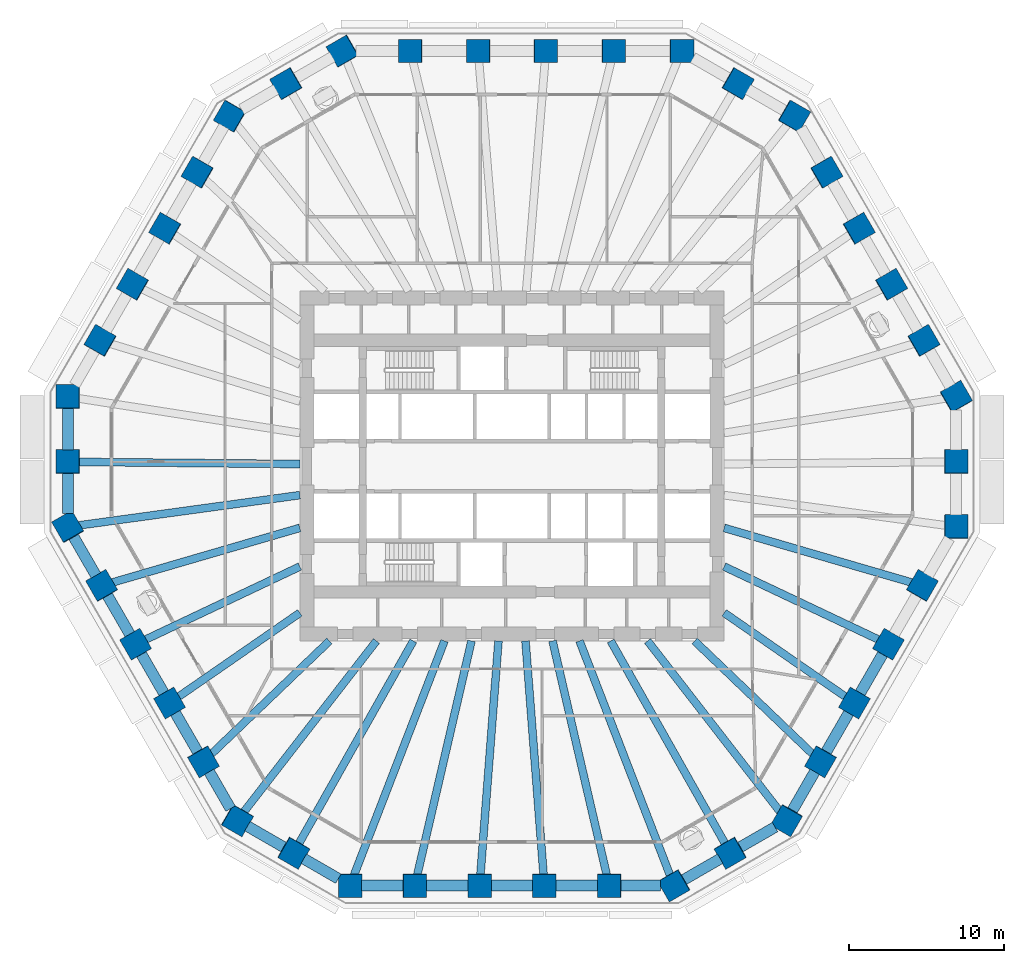
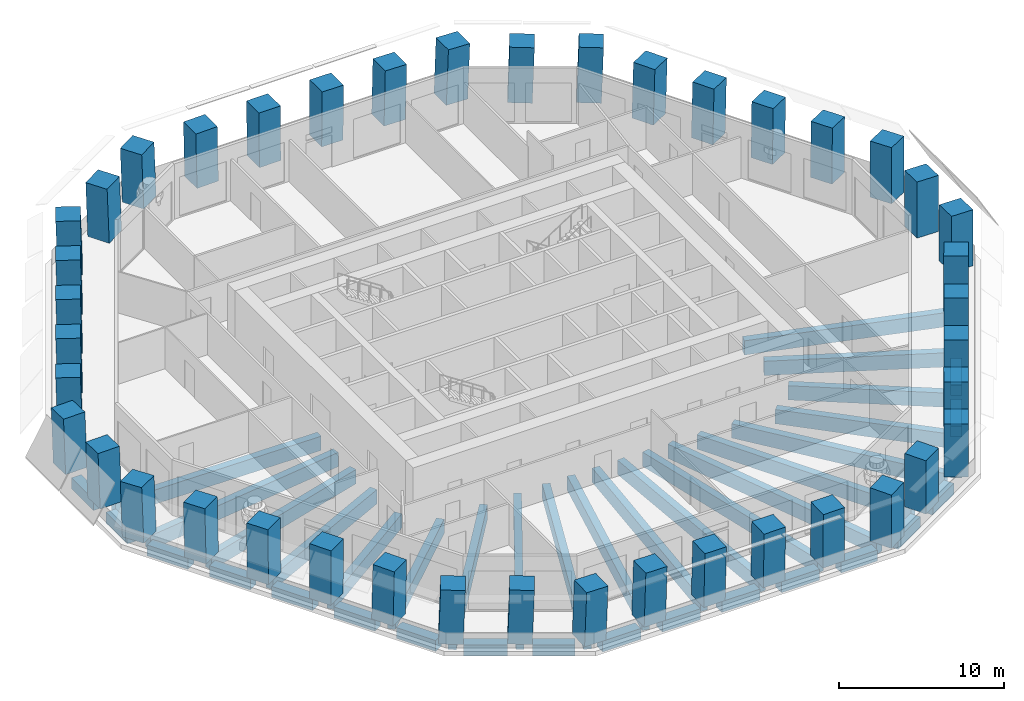
# One storey, part 1 of 13: 42 columns, 39 beams.
"""IFC4 building model written with IfcOpenShell, lengths in metres."""

from ifc_helpers import new_model, si_unit, direction, frame, origin, origin_2d, place, context, subcontext, project, spatial, rectangle, extrude, material, material_profile, profile_set, type_object, element, save


model = new_model("IFC4")

# Units and contexts
model_context = context("Model", 3, precision=1e-05, world=origin(), true_north=direction((0.0, 1.0)))
body_context = subcontext(model_context, "Body", "Model", "MODEL_VIEW")
ifc_project = project(units=[si_unit("LENGTHUNIT", "METRE"), si_unit("AREAUNIT", "SQUARE_METRE"), si_unit("VOLUMEUNIT", "CUBIC_METRE"), si_unit("PLANEANGLEUNIT", "RADIAN"), si_unit("MASSUNIT", "GRAM", prefix="KILO")], contexts=[model_context])

# Site, building, storey
site_placement = place(None, origin())
site = spatial("IfcSite", under=ifc_project, at=site_placement, CompositionType="ELEMENT")
building_placement = place(site_placement, origin())
building = spatial("IfcBuilding", under=site, at=building_placement, Name="Frailejon Research Tower", CompositionType="ELEMENT")
storey_placement = place(building_placement, frame((0.0, 0.0, 23.39990234375)))
storey = spatial("IfcBuildingStorey", under=building, at=storey_placement, Name="L05", CompositionType="ELEMENT", Elevation=23.39990234375)

# Columns
ifc_material_1 = material(Name="Concrete C70/85", Category="concrete")
ifc_material_profile_1 = material_profile(ifc_material_1, rectangle(XDim=1.5, YDim=1.5, at=origin_2d()), Name="Column 1500")
ifc_profile_set_1 = profile_set([ifc_material_profile_1], Name="Concrete C70/85")
column_type = type_object("IfcColumnType", Name="Column 1500", PredefinedType="COLUMN", material=ifc_profile_set_1)
for number, where, z_axis, x_axis, name in (
    (1, (28.572509765625, -3.910888671875, 0.0), (0.018132630042, 0.031385715123, 0.999342856388), (-2.2275817e-05, 0.999507197449, -0.031390472292), "Column C01"),
    (2, (28.572509765625, 0.276611328125, 0.0), (0.018132630042, 0.031385715123, 0.999342856388), (-0.000336383425, 0.999507319949, -0.031384776797), "Column C02"),
    (3, (28.572509765625, 4.464111328125, 0.0), (0.018132630042, 0.031385715123, 0.999342856388), (-0.499938597704, 0.865871218169, -0.018122694964), "Column C03"),
):
    element("IfcColumn", number, at=place(storey_placement, frame(where, z_axis=z_axis, x_axis=x_axis)), inside=storey, type_object=column_type, Name=name, PredefinedType="COLUMN", context=body_context, shape_type="SweptSolid", body=[
        extrude(rectangle(XDim=1.5, YDim=1.5, at=origin_2d()), origin(), (0.0, 0.0, 1.0), 4.052734375),
    ])
column_1_placement = place(storey_placement, frame((26.48828125, 8.07373046875, 0.0), z_axis=(0.021809609218, 0.025123223878, 0.999446429063), x_axis=(-0.499316957517, 0.86635106376, -0.010881647777)))
element("IfcColumn", 4, at=column_1_placement, inside=storey, type_object=column_type, Name="Column C04", PredefinedType="COLUMN", context=body_context, shape_type="SweptSolid", body=[
    extrude(rectangle(XDim=1.5, YDim=1.5, at=origin_2d()), origin(), (0.0, 0.0, 1.0), 4.05224609375),
])
for number, where, z_axis, x_axis, name in (
    (5, (24.404296875, 11.683349609375, 0.0), (0.025425794273, 0.018858468264, 0.999498817988), (-0.499709914648, 0.866185208492, -0.003631224684), "Column C05"),
    (6, (22.3203125, 15.293212890625, 0.0), (0.029040860623, 0.012532155622, 0.999499661576), (-0.498795158794, 0.866712319891, 0.003625480981), "Column C06"),
):
    element("IfcColumn", number, at=place(storey_placement, frame(where, z_axis=z_axis, x_axis=x_axis)), inside=storey, type_object=column_type, Name=name, PredefinedType="COLUMN", context=body_context, shape_type="SweptSolid", body=[
        extrude(rectangle(XDim=1.5, YDim=1.5, at=origin_2d()), origin(), (0.0, 0.0, 1.0), 4.052001953125),
    ])
column_2_placement = place(storey_placement, frame((20.236328125, 18.90283203125, 0.0), z_axis=(0.032654187208, 0.006265748099, 0.999447069363), x_axis=(-0.499519823947, 0.866234008258, 0.010889831076)))
element("IfcColumn", 7, at=column_2_placement, inside=storey, type_object=column_type, Name="Column C07", PredefinedType="COLUMN", context=body_context, shape_type="SweptSolid", body=[
    extrude(rectangle(XDim=1.5, YDim=1.5, at=origin_2d()), origin(), (0.0, 0.0, 1.0), 4.05224609375),
])
for number, where, z_axis, x_axis, name in (
    (8, (18.15234375, 22.512451171875, 0.0), (0.036265236264, 0.0, 0.999342199969), (-0.865313546461, 0.500246354177, 0.031401456084), "Column C08"),
    (9, (14.525634765625, 24.606201171875, 0.0), (0.036265236264, 0.0, 0.999342199969), (-0.865313546461, 0.500246354177, 0.031401456084), "Column C09"),
    (10, (10.899169921875, 26.699951171875, 0.0), (0.036265236264, 0.0, 0.999342199969), (-0.999342199969, 0.0, 0.036265236264), "Column C10"),
):
    element("IfcColumn", number, at=place(storey_placement, frame(where, z_axis=z_axis, x_axis=x_axis)), inside=storey, type_object=column_type, Name=name, PredefinedType="COLUMN", context=body_context, shape_type="SweptSolid", body=[
        extrude(rectangle(XDim=1.5, YDim=1.5, at=origin_2d()), origin(), (0.0, 0.0, 1.0), 4.052734375),
    ])
column_3_placement = place(storey_placement, frame((6.53955078125, 26.699951171875, 0.0), z_axis=(0.021756257337, 0.0, 0.999763304621), x_axis=(-0.999763304621, 0.0, 0.021756257337)))
element("IfcColumn", 11, at=column_3_placement, inside=storey, type_object=column_type, Name="Column C11", PredefinedType="COLUMN", context=body_context, shape_type="SweptSolid", body=[
    extrude(rectangle(XDim=1.5, YDim=1.5, at=origin_2d()), origin(), (0.0, 0.0, 1.0), 4.051025390625),
])
for number, where, z_axis, x_axis, name in (
    (12, (2.1796875, 26.699951171875, 0.0), (0.007293795973, 0.0, 0.999973399916), (-0.999973399916, 0.0, 0.007293795973), "Column C12"),
    (13, (-2.1796875, 26.699951171875, 0.0), (-0.007293795973, 0.0, 0.999973399916), (-0.999973399916, 0.0, -0.007293795973), "Column C13"),
):
    element("IfcColumn", number, at=place(storey_placement, frame(where, z_axis=z_axis, x_axis=x_axis)), inside=storey, type_object=column_type, Name=name, PredefinedType="COLUMN", context=body_context, shape_type="SweptSolid", body=[
        extrude(rectangle(XDim=1.5, YDim=1.5, at=origin_2d()), origin(), (0.0, 0.0, 1.0), 4.050048828125),
    ])
column_4_placement = place(storey_placement, frame((-6.53955078125, 26.699951171875, 0.0), z_axis=(-0.021756257337, 0.0, 0.999763304621), x_axis=(-0.999763304621, 0.0, -0.021756257337)))
element("IfcColumn", 14, at=column_4_placement, inside=storey, type_object=column_type, Name="Column C14", PredefinedType="COLUMN", context=body_context, shape_type="SweptSolid", body=[
    extrude(rectangle(XDim=1.5, YDim=1.5, at=origin_2d()), origin(), (0.0, 0.0, 1.0), 4.051025390625),
])
for number, where, z_axis, x_axis, name in (
    (15, (-10.899169921875, 26.699951171875, 0.0), (-0.036265236264, 0.0, 0.999342199969), (-0.865313546461, -0.500246354177, -0.031401456084), "Column C15"),
    (16, (-14.525634765625, 24.606201171875, 0.0), (-0.036265236264, 0.0, 0.999342199969), (-0.865313546461, -0.500246354177, -0.031401456084), "Column C16"),
    (17, (-18.15234375, 22.512451171875, 0.0), (-0.036265236264, 0.0, 0.999342199969), (-0.499424867419, -0.866167613071, -0.018123682572), "Column C17"),
):
    element("IfcColumn", number, at=place(storey_placement, frame(where, z_axis=z_axis, x_axis=x_axis)), inside=storey, type_object=column_type, Name=name, PredefinedType="COLUMN", context=body_context, shape_type="SweptSolid", body=[
        extrude(rectangle(XDim=1.5, YDim=1.5, at=origin_2d()), origin(), (0.0, 0.0, 1.0), 4.052734375),
    ])
column_5_placement = place(storey_placement, frame((-20.236328125, 18.90283203125, 0.0), z_axis=(-0.032654187208, 0.006265748099, 0.999447069363), x_axis=(-0.499519823947, -0.866234008258, -0.010889831076)))
element("IfcColumn", 18, at=column_5_placement, inside=storey, type_object=column_type, Name="Column C18", PredefinedType="COLUMN", context=body_context, shape_type="SweptSolid", body=[
    extrude(rectangle(XDim=1.5, YDim=1.5, at=origin_2d()), origin(), (0.0, 0.0, 1.0), 4.05224609375),
])
for number, where, z_axis, x_axis, name in (
    (19, (-22.3203125, 15.293212890625, 0.0), (-0.029040860623, 0.012532155622, 0.999499661576), (-0.498795158794, -0.866712319891, -0.003625480981), "Column C19"),
    (20, (-24.404296875, 11.683349609375, 0.0), (-0.025425794273, 0.018858468264, 0.999498817988), (-0.499709914648, -0.866185208492, 0.003631224684), "Column C20"),
):
    element("IfcColumn", number, at=place(storey_placement, frame(where, z_axis=z_axis, x_axis=x_axis)), inside=storey, type_object=column_type, Name=name, PredefinedType="COLUMN", context=body_context, shape_type="SweptSolid", body=[
        extrude(rectangle(XDim=1.5, YDim=1.5, at=origin_2d()), origin(), (0.0, 0.0, 1.0), 4.052001953125),
    ])
column_6_placement = place(storey_placement, frame((-26.48828125, 8.07373046875, 0.0), z_axis=(-0.021809609218, 0.025123223878, 0.999446429063), x_axis=(-0.499316957517, -0.86635106376, 0.010881647777)))
element("IfcColumn", 21, at=column_6_placement, inside=storey, type_object=column_type, Name="Column C21", PredefinedType="COLUMN", context=body_context, shape_type="SweptSolid", body=[
    extrude(rectangle(XDim=1.5, YDim=1.5, at=origin_2d()), origin(), (0.0, 0.0, 1.0), 4.05224609375),
])
for number, where, z_axis, x_axis, name in (
    (22, (-28.572509765625, 4.464111328125, 0.0), (-0.018132630042, 0.031385715123, 0.999342856388), (-2.2275817e-05, -0.999507197449, 0.031390472292), "Column C22"),
    (23, (-28.572509765625, 0.276611328125, 0.0), (-0.018132630042, 0.031385715123, 0.999342856388), (-0.000336383425, -0.999507319949, 0.031384776797), "Column C23"),
    (24, (-28.572509765625, -3.910888671875, 0.0), (-0.018132630042, 0.031385715123, 0.999342856388), (0.50014482047, -0.865182814935, 0.036247141934), "Column C24"),
):
    element("IfcColumn", number, at=place(storey_placement, frame(where, z_axis=z_axis, x_axis=x_axis)), inside=storey, type_object=column_type, Name=name, PredefinedType="COLUMN", context=body_context, shape_type="SweptSolid", body=[
        extrude(rectangle(XDim=1.5, YDim=1.5, at=origin_2d()), origin(), (0.0, 0.0, 1.0), 4.052734375),
    ])
column_7_placement = place(storey_placement, frame((-26.392578125, -7.6865234375, 0.0), z_axis=(-0.010908253887, 0.018863444567, 0.99976256204), x_axis=(0.500638377412, -0.865382225109, 0.021790354016)))
element("IfcColumn", 25, at=column_7_placement, inside=storey, type_object=column_type, Name="Column C25", PredefinedType="COLUMN", context=body_context, shape_type="SweptSolid", body=[
    extrude(rectangle(XDim=1.5, YDim=1.5, at=origin_2d()), origin(), (0.0, 0.0, 1.0), 4.051025390625),
])
for number, where, z_axis, x_axis, name in (
    (26, (-24.212890625, -11.462158203125, 0.0), (-0.003616759812, 0.006269050341, 0.999973808685), (0.499535500447, -0.866263182786, 0.007237536985), "Column C26"),
    (27, (-22.032958984375, -15.23779296875, 0.0), (0.003616759812, -0.006269050341, 0.999973808685), (0.499535500447, -0.866263182786, -0.007237536985), "Column C27"),
):
    element("IfcColumn", number, at=place(storey_placement, frame(where, z_axis=z_axis, x_axis=x_axis)), inside=storey, type_object=column_type, Name=name, PredefinedType="COLUMN", context=body_context, shape_type="SweptSolid", body=[
        extrude(rectangle(XDim=1.5, YDim=1.5, at=origin_2d()), origin(), (0.0, 0.0, 1.0), 4.050048828125),
    ])
column_8_placement = place(storey_placement, frame((-19.85302734375, -19.013427734375, 0.0), z_axis=(0.010847994403, -0.018863456933, 0.999763217472), x_axis=(0.498562459177, -0.866580616749, -0.02176026136)))
element("IfcColumn", 28, at=column_8_placement, inside=storey, type_object=column_type, Name="Column C28", PredefinedType="COLUMN", context=body_context, shape_type="SweptSolid", body=[
    extrude(rectangle(XDim=1.5, YDim=1.5, at=origin_2d()), origin(), (0.0, 0.0, 1.0), 4.051025390625),
])
for number, where, z_axis, x_axis, name in (
    (29, (-17.67333984375, -22.7890625, 0.0), (0.018132630042, -0.031385715123, 0.999342856388), (0.865884970752, -0.499257274245, -0.031390946777), "Column C29"),
    (30, (-14.046630859375, -24.8828125, 0.0), (0.018132630042, -0.031385715123, 0.999342856388), (0.865999247617, -0.499059286831, -0.031386802217), "Column C30"),
    (31, (-10.420166015625, -26.9765625, 0.0), (0.018132630042, -0.031385715123, 0.999342856388), (0.999835563316, 0.000801623118, -0.018116393931), "Column C31"),
):
    element("IfcColumn", number, at=place(storey_placement, frame(where, z_axis=z_axis, x_axis=x_axis)), inside=storey, type_object=column_type, Name=name, PredefinedType="COLUMN", context=body_context, shape_type="SweptSolid", body=[
        extrude(rectangle(XDim=1.5, YDim=1.5, at=origin_2d()), origin(), (0.0, 0.0, 1.0), 4.052734375),
    ])
column_9_placement = place(storey_placement, frame((-6.252197265625, -26.9765625, 0.0), z_axis=(0.010904819076, -0.031389009606, 0.999447755011), x_axis=(0.999940280046, 0.001063983363, -0.010876777103)))
element("IfcColumn", 32, at=column_9_placement, inside=storey, type_object=column_type, Name="Column C32", PredefinedType="COLUMN", context=body_context, shape_type="SweptSolid", body=[
    extrude(rectangle(XDim=1.5, YDim=1.5, at=origin_2d()), origin(), (0.0, 0.0, 1.0), 4.05224609375),
])
for number, where, z_axis, x_axis, name in (
    (33, (-2.083984375, -26.9765625, 0.0), (0.00361504848, -0.031390670968, 0.999500653927), (0.99999345951, 0.000224604645, -0.003609776873), "Column C33"),
    (34, (2.083984375, -26.9765625, 0.0), (-0.00361504848, -0.031390670968, 0.999500653927), (0.99999345951, -0.000224604645, 0.003609776873), "Column C34"),
):
    element("IfcColumn", number, at=place(storey_placement, frame(where, z_axis=z_axis, x_axis=x_axis)), inside=storey, type_object=column_type, Name=name, PredefinedType="COLUMN", context=body_context, shape_type="SweptSolid", body=[
        extrude(rectangle(XDim=1.5, YDim=1.5, at=origin_2d()), origin(), (0.0, 0.0, 1.0), 4.052001953125),
    ])
column_10_placement = place(storey_placement, frame((6.252197265625, -26.9765625, 0.0), z_axis=(-0.010904819076, -0.031389009606, 0.999447755011), x_axis=(0.999940280046, -0.001063983363, 0.010876777103)))
element("IfcColumn", 35, at=column_10_placement, inside=storey, type_object=column_type, Name="Column C35", PredefinedType="COLUMN", context=body_context, shape_type="SweptSolid", body=[
    extrude(rectangle(XDim=1.5, YDim=1.5, at=origin_2d()), origin(), (0.0, 0.0, 1.0), 4.05224609375),
])
for number, where, z_axis, x_axis, name in (
    (36, (10.420166015625, -26.9765625, 0.0), (-0.018132630042, -0.031385715123, 0.999342856388), (0.865999247617, 0.499059286831, 0.031386802217), "Column C36"),
    (37, (14.046630859375, -24.8828125, 0.0), (-0.018132630042, -0.031385715123, 0.999342856388), (0.865999247617, 0.499059286831, 0.031386802217), "Column C37"),
    (38, (17.67333984375, -22.7890625, 0.0), (-0.018132630042, -0.031385715123, 0.999342856388), (0.499674818932, 0.865454343132, 0.036247141676), "Column C38"),
):
    element("IfcColumn", number, at=place(storey_placement, frame(where, z_axis=z_axis, x_axis=x_axis)), inside=storey, type_object=column_type, Name=name, PredefinedType="COLUMN", context=body_context, shape_type="SweptSolid", body=[
        extrude(rectangle(XDim=1.5, YDim=1.5, at=origin_2d()), origin(), (0.0, 0.0, 1.0), 4.052734375),
    ])
column_11_placement = place(storey_placement, frame((19.85302734375, -19.013427734375, 0.0), z_axis=(-0.010847994403, -0.018863456933, 0.999763217472), x_axis=(0.498562459177, 0.866580616749, 0.02176026136)))
element("IfcColumn", 39, at=column_11_placement, inside=storey, type_object=column_type, Name="Column C39", PredefinedType="COLUMN", context=body_context, shape_type="SweptSolid", body=[
    extrude(rectangle(XDim=1.5, YDim=1.5, at=origin_2d()), origin(), (0.0, 0.0, 1.0), 4.051025390625),
])
for number, where, z_axis, x_axis, name in (
    (40, (22.032958984375, -15.23779296875, 0.0), (-0.003616759812, -0.006269050341, 0.999973808685), (0.499535500447, 0.866263182786, 0.007237536985), "Column C40"),
    (41, (24.212890625, -11.462158203125, 0.0), (0.003616759812, 0.006269050341, 0.999973808685), (0.499535500447, 0.866263182786, -0.007237536985), "Column C41"),
):
    element("IfcColumn", number, at=place(storey_placement, frame(where, z_axis=z_axis, x_axis=x_axis)), inside=storey, type_object=column_type, Name=name, PredefinedType="COLUMN", context=body_context, shape_type="SweptSolid", body=[
        extrude(rectangle(XDim=1.5, YDim=1.5, at=origin_2d()), origin(), (0.0, 0.0, 1.0), 4.050048828125),
    ])
column_12_placement = place(storey_placement, frame((26.392578125, -7.6865234375, 0.0), z_axis=(0.010908253887, 0.018863444567, 0.99976256204), x_axis=(0.500638377412, 0.865382225109, -0.021790354016)))
element("IfcColumn", 42, at=column_12_placement, inside=storey, type_object=column_type, Name="Column C42", PredefinedType="COLUMN", context=body_context, shape_type="SweptSolid", body=[
    extrude(rectangle(XDim=1.5, YDim=1.5, at=origin_2d()), origin(), (0.0, 0.0, 1.0), 4.051025390625),
])

# Beams
ifc_material_2 = material(Name="Concrete C60/75", Category="concrete")
ifc_material_profile_2 = material_profile(ifc_material_2, rectangle(XDim=0.5, YDim=1.050048828125, at=origin_2d()), Name="Girder 500x1050")
ifc_profile_set_2 = profile_set([ifc_material_profile_2], Name="Concrete C60/75")
beam_type_1 = type_object("IfcBeamType", Name="Girder 500x1050", PredefinedType="BEAM", material=ifc_profile_set_2)
beam_1_placement = place(storey_placement, frame((-27.972412109375, 0.270751953125, -0.824951171875), z_axis=(0.99995313183, -0.009681639459, 0.0), x_axis=(0.009681639459, 0.99995313183, 0.0)))
element("IfcBeam", 43, at=beam_1_placement, inside=storey, type_object=beam_type_1, Name="Girder 500x1050", PredefinedType="BEAM", context=body_context, shape_type="SweptSolid", body=[
    extrude(rectangle(XDim=0.5, YDim=1.050048828125, at=origin_2d()), origin(), (0.0, 0.0, 1.0), 14.3232421875),
])
beam_2_placement = place(storey_placement, frame((-27.91845703125, -3.821533203125, -0.824951171875), z_axis=(0.990761129564, 0.13561852434, 0.0), x_axis=(-0.13561852434, 0.990761129564, 0.0)))
element("IfcBeam", 44, at=beam_2_placement, inside=storey, type_object=beam_type_1, Name="Girder 500x1050", PredefinedType="BEAM", context=body_context, shape_type="SweptSolid", body=[
    extrude(rectangle(XDim=0.5, YDim=1.050048828125, at=origin_2d()), origin(), (0.0, 0.0, 1.0), 14.401611328125),
])
beam_3_placement = place(storey_placement, frame((-25.79541015625, -7.5126953125, -0.824951171875), z_axis=(0.96010800529, 0.279629430101, 0.0), x_axis=(-0.279629430101, 0.96010800529, 0.0)))
element("IfcBeam", 45, at=beam_3_placement, inside=storey, type_object=beam_type_1, Name="Girder 500x1050", PredefinedType="BEAM", context=body_context, shape_type="SweptSolid", body=[
    extrude(rectangle(XDim=0.5, YDim=1.050048828125, at=origin_2d()), origin(), (0.0, 0.0, 1.0), 12.650146484375),
])
beam_4_placement = place(storey_placement, frame((-23.668212890625, -11.204345703125, -0.824951171875), z_axis=(0.903845449713, 0.427859092498, 0.0), x_axis=(-0.427859092498, 0.903845449713, 0.0)))
element("IfcBeam", 46, at=beam_4_placement, inside=storey, type_object=beam_type_1, Name="Girder 500x1050", PredefinedType="BEAM", context=body_context, shape_type="SweptSolid", body=[
    extrude(rectangle(XDim=0.5, YDim=1.050048828125, at=origin_2d()), origin(), (0.0, 0.0, 1.0), 11.083984375),
])
beam_5_placement = place(storey_placement, frame((-21.53759765625, -14.89501953125, -0.824951171875), z_axis=(0.822478941662, 0.568795561271, 0.0), x_axis=(-0.568795561271, 0.822478941662, 0.0)))
element("IfcBeam", 47, at=beam_5_placement, inside=storey, type_object=beam_type_1, Name="Girder 500x1050", PredefinedType="BEAM", context=body_context, shape_type="SweptSolid", body=[
    extrude(rectangle(XDim=0.5, YDim=1.050048828125, at=origin_2d()), origin(), (0.0, 0.0, 1.0), 9.590087890625),
])
beam_6_placement = place(storey_placement, frame((-19.40380859375, -18.5830078125, -0.824951171875), z_axis=(0.722220630444, 0.691662750885, 0.0), x_axis=(-0.691662750885, 0.722220630444, 0.0)))
element("IfcBeam", 48, at=beam_6_placement, inside=storey, type_object=beam_type_1, Name="Girder 500x1050", PredefinedType="BEAM", context=body_context, shape_type="SweptSolid", body=[
    extrude(rectangle(XDim=0.5, YDim=1.050048828125, at=origin_2d()), origin(), (0.0, 0.0, 1.0), 10.60205078125),
])
beam_7_placement = place(storey_placement, frame((-17.30126953125, -22.309326171875, -0.824951171875), z_axis=(0.612825297769, 0.790218421966, 0.0), x_axis=(-0.790218421966, 0.612825297769, 0.0)))
element("IfcBeam", 49, at=beam_7_placement, inside=storey, type_object=beam_type_1, Name="Girder 500x1050", PredefinedType="BEAM", context=body_context, shape_type="SweptSolid", body=[
    extrude(rectangle(XDim=0.5, YDim=1.050048828125, at=origin_2d()), origin(), (0.0, 0.0, 1.0), 13.995361328125),
])
beam_8_placement = place(storey_placement, frame((-13.751708984375, -24.3603515625, -0.824951171875), z_axis=(0.491588020895, 0.870827892131, 0.0), x_axis=(-0.870827892131, 0.491588020895, 0.0)))
element("IfcBeam", 50, at=beam_8_placement, inside=storey, type_object=beam_type_1, Name="Girder 500x1050", PredefinedType="BEAM", context=body_context, shape_type="SweptSolid", body=[
    extrude(rectangle(XDim=0.5, YDim=1.050048828125, at=origin_2d()), origin(), (0.0, 0.0, 1.0), 15.054931640625),
])
beam_9_placement = place(storey_placement, frame((-10.1845703125, -26.366455078125, -0.824951171875), z_axis=(0.360327477153, 0.932825872931, 0.0), x_axis=(-0.932825872931, 0.360327477153, 0.0)))
element("IfcBeam", 51, at=beam_9_placement, inside=storey, type_object=beam_type_1, Name="Girder 500x1050", PredefinedType="BEAM", context=body_context, shape_type="SweptSolid", body=[
    extrude(rectangle(XDim=0.5, YDim=1.050048828125, at=origin_2d()), origin(), (0.0, 0.0, 1.0), 16.205078125),
])
beam_10_placement = place(storey_placement, frame((-6.112060546875, -26.372802734375, -0.824951171875), z_axis=(0.225762215185, 0.974182437839, 0.0), x_axis=(-0.974182437839, 0.225762215185, 0.0)))
element("IfcBeam", 52, at=beam_10_placement, inside=storey, type_object=beam_type_1, Name="Girder 500x1050", PredefinedType="BEAM", context=body_context, shape_type="SweptSolid", body=[
    extrude(rectangle(XDim=0.5, YDim=1.050048828125, at=origin_2d()), origin(), (0.0, 0.0, 1.0), 15.523681640625),
])
for number, where, z_axis, x_axis, name in (
    (53, (-2.03759765625, -26.376220703125, -0.824951171875), (0.07701767799, 0.997029727379, 0.0), (-0.997029727379, 0.07701767799, 0.0), "Girder 500x1050"),
    (54, (2.03759765625, -26.376220703125, -0.824951171875), (-0.07701767799, 0.997029727379, 0.0), (-0.997029727379, -0.07701767799, 0.0), "Girder 500x1050"),
):
    element("IfcBeam", number, at=place(storey_placement, frame(where, z_axis=z_axis, x_axis=x_axis)), inside=storey, type_object=beam_type_1, Name=name, PredefinedType="BEAM", context=body_context, shape_type="SweptSolid", body=[
        extrude(rectangle(XDim=0.5, YDim=1.050048828125, at=origin_2d()), origin(), (0.0, 0.0, 1.0), 15.17138671875),
    ])
beam_11_placement = place(storey_placement, frame((6.112060546875, -26.372802734375, -0.824951171875), z_axis=(-0.225762215185, 0.974182437839, 0.0), x_axis=(-0.974182437839, -0.225762215185, 0.0)))
element("IfcBeam", 55, at=beam_11_placement, inside=storey, type_object=beam_type_1, Name="Girder 500x1050", PredefinedType="BEAM", context=body_context, shape_type="SweptSolid", body=[
    extrude(rectangle(XDim=0.5, YDim=1.050048828125, at=origin_2d()), origin(), (0.0, 0.0, 1.0), 15.523681640625),
])
beam_12_placement = place(storey_placement, frame((10.20068359375, -26.408447265625, -0.824951171875), z_axis=(-0.360321733614, 0.932828091497, 0.0), x_axis=(-0.932828091497, -0.360321733614, 0.0)))
element("IfcBeam", 56, at=beam_12_placement, inside=storey, type_object=beam_type_1, Name="Girder 500x1050", PredefinedType="BEAM", context=body_context, shape_type="SweptSolid", body=[
    extrude(rectangle(XDim=0.5, YDim=1.050048828125, at=origin_2d()), origin(), (0.0, 0.0, 1.0), 16.25),
])
beam_13_placement = place(storey_placement, frame((13.751708984375, -24.3603515625, -0.824951171875), z_axis=(-0.491588020895, 0.870827892131, 0.0), x_axis=(-0.870827892131, -0.491588020895, 0.0)))
element("IfcBeam", 57, at=beam_13_placement, inside=storey, type_object=beam_type_1, Name="Girder 500x1050", PredefinedType="BEAM", context=body_context, shape_type="SweptSolid", body=[
    extrude(rectangle(XDim=0.5, YDim=1.050048828125, at=origin_2d()), origin(), (0.0, 0.0, 1.0), 15.054931640625),
])
beam_14_placement = place(storey_placement, frame((17.268798828125, -22.267333984375, -0.824951171875), z_axis=(-0.612829544489, 0.790215128558, 0.0), x_axis=(-0.790215128558, -0.612829544489, 0.0)))
element("IfcBeam", 58, at=beam_14_placement, inside=storey, type_object=beam_type_1, Name="Girder 500x1050", PredefinedType="BEAM", context=body_context, shape_type="SweptSolid", body=[
    extrude(rectangle(XDim=0.5, YDim=1.050048828125, at=origin_2d()), origin(), (0.0, 0.0, 1.0), 13.942138671875),
])
beam_15_placement = place(storey_placement, frame((19.40380859375, -18.5830078125, -0.824951171875), z_axis=(-0.722220630444, 0.691662750885, 0.0), x_axis=(-0.691662750885, -0.722220630444, 0.0)))
element("IfcBeam", 59, at=beam_15_placement, inside=storey, type_object=beam_type_1, Name="Girder 500x1050", PredefinedType="BEAM", context=body_context, shape_type="SweptSolid", body=[
    extrude(rectangle(XDim=0.5, YDim=1.050048828125, at=origin_2d()), origin(), (0.0, 0.0, 1.0), 10.60205078125),
])
beam_16_placement = place(storey_placement, frame((21.53759765625, -14.89501953125, -0.824951171875), z_axis=(-0.822478941662, 0.568795561271, 0.0), x_axis=(-0.568795561271, -0.822478941662, 0.0)))
element("IfcBeam", 60, at=beam_16_placement, inside=storey, type_object=beam_type_1, Name="Girder 500x1050", PredefinedType="BEAM", context=body_context, shape_type="SweptSolid", body=[
    extrude(rectangle(XDim=0.5, YDim=1.050048828125, at=origin_2d()), origin(), (0.0, 0.0, 1.0), 9.590087890625),
])
beam_17_placement = place(storey_placement, frame((23.668212890625, -11.204345703125, -0.824951171875), z_axis=(-0.903845449713, 0.427859092498, 0.0), x_axis=(-0.427859092498, -0.903845449713, 0.0)))
element("IfcBeam", 61, at=beam_17_placement, inside=storey, type_object=beam_type_1, Name="Girder 500x1050", PredefinedType="BEAM", context=body_context, shape_type="SweptSolid", body=[
    extrude(rectangle(XDim=0.5, YDim=1.050048828125, at=origin_2d()), origin(), (0.0, 0.0, 1.0), 11.083984375),
])
beam_18_placement = place(storey_placement, frame((25.79541015625, -7.5126953125, -0.824951171875), z_axis=(-0.96010800529, 0.279629430101, 0.0), x_axis=(-0.279629430101, -0.96010800529, 0.0)))
element("IfcBeam", 62, at=beam_18_placement, inside=storey, type_object=beam_type_1, Name="Girder 500x1050", PredefinedType="BEAM", context=body_context, shape_type="SweptSolid", body=[
    extrude(rectangle(XDim=0.5, YDim=1.050048828125, at=origin_2d()), origin(), (0.0, 0.0, 1.0), 12.650146484375),
])
ifc_material_3 = material(Name="Concrete C60/75", Category="concrete")
ifc_material_profile_3 = material_profile(ifc_material_3, rectangle(XDim=0.699951171875, YDim=0.800048828125, at=origin_2d()), Name="Spandrel 700x800")
ifc_profile_set_3 = profile_set([ifc_material_profile_3], Name="Concrete C60/75")
beam_type_2 = type_object("IfcBeamType", Name="Spandrel 700x800", PredefinedType="BEAM", material=ifc_profile_set_3)
beam_19_placement = place(storey_placement, frame((-28.572509765625, 3.714111328125, -0.75), z_axis=(0.0, -1.0, 0.0), x_axis=(1.0, 0.0, 0.0)))
element("IfcBeam", 63, at=beam_19_placement, inside=storey, type_object=beam_type_2, Name="Spandrel 700x800", PredefinedType="BEAM", context=body_context, shape_type="SweptSolid", body=[
    extrude(rectangle(XDim=0.699951171875, YDim=0.800048828125, at=origin_2d()), origin(), (0.0, 0.0, 1.0), 2.6875),
])
beam_20_placement = place(storey_placement, frame((-28.572509765625, -0.473388671875, -0.75), z_axis=(0.0, -1.0, 0.0), x_axis=(1.0, 0.0, 0.0)))
element("IfcBeam", 64, at=beam_20_placement, inside=storey, type_object=beam_type_2, Name="Spandrel 700x800", PredefinedType="BEAM", context=body_context, shape_type="SweptSolid", body=[
    extrude(rectangle(XDim=0.699951171875, YDim=0.800048828125, at=origin_2d()), origin(), (0.0, 0.0, 1.0), 2.571533203125),
])
for number, where, z_axis, x_axis, name in (
    (65, (-28.197509765625, -4.560546875, -0.75), (0.500022977831, -0.866012137121, 0.0), (0.866012137121, 0.500022977831, 0.0), "Spandrel 700x800"),
    (66, (-26.017578125, -8.336181640625, -0.75), (0.499958946799, -0.866049104564, 0.0), (0.866049104564, 0.499958946799, 0.0), "Spandrel 700x800"),
    (67, (-23.837890625, -12.11181640625, -0.75), (0.500022977831, -0.866012137121, 0.0), (0.866012137121, 0.500022977831, 0.0), "Spandrel 700x800"),
):
    element("IfcBeam", number, at=place(storey_placement, frame(where, z_axis=z_axis, x_axis=x_axis)), inside=storey, type_object=beam_type_2, Name=name, PredefinedType="BEAM", context=body_context, shape_type="SweptSolid", body=[
        extrude(rectangle(XDim=0.699951171875, YDim=0.800048828125, at=origin_2d()), origin(), (0.0, 0.0, 1.0), 2.859619140625),
    ])
beam_21_placement = place(storey_placement, frame((-21.657958984375, -15.88720703125, -0.75), z_axis=(0.499986011877, -0.866033479681, 0.0), x_axis=(0.866033479681, 0.499986011877, 0.0)))
element("IfcBeam", 68, at=beam_21_placement, inside=storey, type_object=beam_type_2, Name="Spandrel 700x800", PredefinedType="BEAM", context=body_context, shape_type="SweptSolid", body=[
    extrude(rectangle(XDim=0.699951171875, YDim=0.800048828125, at=origin_2d()), origin(), (0.0, 0.0, 1.0), 2.85986328125),
])
beam_22_placement = place(storey_placement, frame((-19.47802734375, -19.662841796875, -0.75), z_axis=(0.499976631314, -0.866038895281, 0.0), x_axis=(0.866038895281, 0.499976631314, 0.0)))
element("IfcBeam", 69, at=beam_22_placement, inside=storey, type_object=beam_type_2, Name="Spandrel 700x800", PredefinedType="BEAM", context=body_context, shape_type="SweptSolid", body=[
    extrude(rectangle(XDim=0.699951171875, YDim=0.800048828125, at=origin_2d()), origin(), (0.0, 0.0, 1.0), 2.743896484375),
])
beam_23_placement = place(storey_placement, frame((-17.023681640625, -23.1640625, -0.75), z_axis=(0.866020687897, -0.500008168067, 0.0), x_axis=(0.500008168067, 0.866020687897, 0.0)))
element("IfcBeam", 70, at=beam_23_placement, inside=storey, type_object=beam_type_2, Name="Spandrel 700x800", PredefinedType="BEAM", context=body_context, shape_type="SweptSolid", body=[
    extrude(rectangle(XDim=0.699951171875, YDim=0.800048828125, at=origin_2d()), origin(), (0.0, 0.0, 1.0), 2.6875),
])
beam_24_placement = place(storey_placement, frame((-13.397216796875, -25.2578125, -0.75), z_axis=(0.866008514048, -0.50002925274, 0.0), x_axis=(0.50002925274, 0.866008514048, 0.0)))
element("IfcBeam", 71, at=beam_24_placement, inside=storey, type_object=beam_type_2, Name="Spandrel 700x800", PredefinedType="BEAM", context=body_context, shape_type="SweptSolid", body=[
    extrude(rectangle(XDim=0.699951171875, YDim=0.800048828125, at=origin_2d()), origin(), (0.0, 0.0, 1.0), 2.571533203125),
])
beam_25_placement = place(storey_placement, frame((-9.670166015625, -26.9765625, -0.75), z_axis=(1.0, 0.0, 0.0), x_axis=(0.0, 1.0, 0.0)))
element("IfcBeam", 72, at=beam_25_placement, inside=storey, type_object=beam_type_2, Name="Spandrel 700x800", PredefinedType="BEAM", context=body_context, shape_type="SweptSolid", body=[
    extrude(rectangle(XDim=0.699951171875, YDim=0.800048828125, at=origin_2d()), origin(), (0.0, 0.0, 1.0), 2.66796875),
])
beam_26_placement = place(storey_placement, frame((-5.502197265625, -26.9765625, -0.75), z_axis=(1.0, 0.0, 0.0), x_axis=(0.0, 1.0, 0.0)))
element("IfcBeam", 73, at=beam_26_placement, inside=storey, type_object=beam_type_2, Name="Spandrel 700x800", PredefinedType="BEAM", context=body_context, shape_type="SweptSolid", body=[
    extrude(rectangle(XDim=0.699951171875, YDim=0.800048828125, at=origin_2d()), origin(), (0.0, 0.0, 1.0), 2.668212890625),
])
beam_27_placement = place(storey_placement, frame((-1.333984375, -26.9765625, -0.75), z_axis=(1.0, 0.0, 0.0), x_axis=(0.0, 1.0, 0.0)))
element("IfcBeam", 74, at=beam_27_placement, inside=storey, type_object=beam_type_2, Name="Spandrel 700x800", PredefinedType="BEAM", context=body_context, shape_type="SweptSolid", body=[
    extrude(rectangle(XDim=0.699951171875, YDim=0.800048828125, at=origin_2d()), origin(), (0.0, 0.0, 1.0), 2.66796875),
])
beam_28_placement = place(storey_placement, frame((2.833984375, -26.9765625, -0.75), z_axis=(1.0, 0.0, 0.0), x_axis=(0.0, 1.0, 0.0)))
element("IfcBeam", 75, at=beam_28_placement, inside=storey, type_object=beam_type_2, Name="Spandrel 700x800", PredefinedType="BEAM", context=body_context, shape_type="SweptSolid", body=[
    extrude(rectangle(XDim=0.699951171875, YDim=0.800048828125, at=origin_2d()), origin(), (0.0, 0.0, 1.0), 2.668212890625),
])
beam_29_placement = place(storey_placement, frame((7.002197265625, -26.9765625, -0.75), z_axis=(1.0, 0.0, 0.0), x_axis=(0.0, 1.0, 0.0)))
element("IfcBeam", 76, at=beam_29_placement, inside=storey, type_object=beam_type_2, Name="Spandrel 700x800", PredefinedType="BEAM", context=body_context, shape_type="SweptSolid", body=[
    extrude(rectangle(XDim=0.699951171875, YDim=0.800048828125, at=origin_2d()), origin(), (0.0, 0.0, 1.0), 2.552001953125),
])
beam_30_placement = place(storey_placement, frame((11.069580078125, -26.6015625, -0.75), z_axis=(0.866043397086, 0.499968833392, 0.0), x_axis=(-0.499968833392, 0.866043397086, 0.0)))
element("IfcBeam", 77, at=beam_30_placement, inside=storey, type_object=beam_type_2, Name="Spandrel 700x800", PredefinedType="BEAM", context=body_context, shape_type="SweptSolid", body=[
    extrude(rectangle(XDim=0.699951171875, YDim=0.800048828125, at=origin_2d()), origin(), (0.0, 0.0, 1.0), 2.687744140625),
])
beam_31_placement = place(storey_placement, frame((14.6962890625, -24.5078125, -0.75), z_axis=(0.866008514048, 0.50002925274, 0.0), x_axis=(-0.50002925274, 0.866008514048, 0.0)))
element("IfcBeam", 78, at=beam_31_placement, inside=storey, type_object=beam_type_2, Name="Spandrel 700x800", PredefinedType="BEAM", context=body_context, shape_type="SweptSolid", body=[
    extrude(rectangle(XDim=0.699951171875, YDim=0.800048828125, at=origin_2d()), origin(), (0.0, 0.0, 1.0), 2.571533203125),
])
beam_32_placement = place(storey_placement, frame((18.04833984375, -22.139404296875, -0.75), z_axis=(0.499958946799, 0.866049104564, 0.0), x_axis=(-0.866049104564, 0.499958946799, 0.0)))
element("IfcBeam", 79, at=beam_32_placement, inside=storey, type_object=beam_type_2, Name="Spandrel 700x800", PredefinedType="BEAM", context=body_context, shape_type="SweptSolid", body=[
    extrude(rectangle(XDim=0.699951171875, YDim=0.800048828125, at=origin_2d()), origin(), (0.0, 0.0, 1.0), 2.859619140625),
])
beam_33_placement = place(storey_placement, frame((20.22802734375, -18.364013671875, -0.75), z_axis=(0.499986011877, 0.866033479681, 0.0), x_axis=(-0.866033479681, 0.499986011877, 0.0)))
element("IfcBeam", 80, at=beam_33_placement, inside=storey, type_object=beam_type_2, Name="Spandrel 700x800", PredefinedType="BEAM", context=body_context, shape_type="SweptSolid", body=[
    extrude(rectangle(XDim=0.699951171875, YDim=0.800048828125, at=origin_2d()), origin(), (0.0, 0.0, 1.0), 2.85986328125),
])
beam_34_placement = place(storey_placement, frame((22.407958984375, -14.58837890625, -0.75), z_axis=(0.500022977831, 0.866012137121, 0.0), x_axis=(-0.866012137121, 0.500022977831, 0.0)))
element("IfcBeam", 81, at=beam_34_placement, inside=storey, type_object=beam_type_2, Name="Spandrel 700x800", PredefinedType="BEAM", context=body_context, shape_type="SweptSolid", body=[
    extrude(rectangle(XDim=0.699951171875, YDim=0.800048828125, at=origin_2d()), origin(), (0.0, 0.0, 1.0), 2.859619140625),
])

save(model, "model.ifc")
